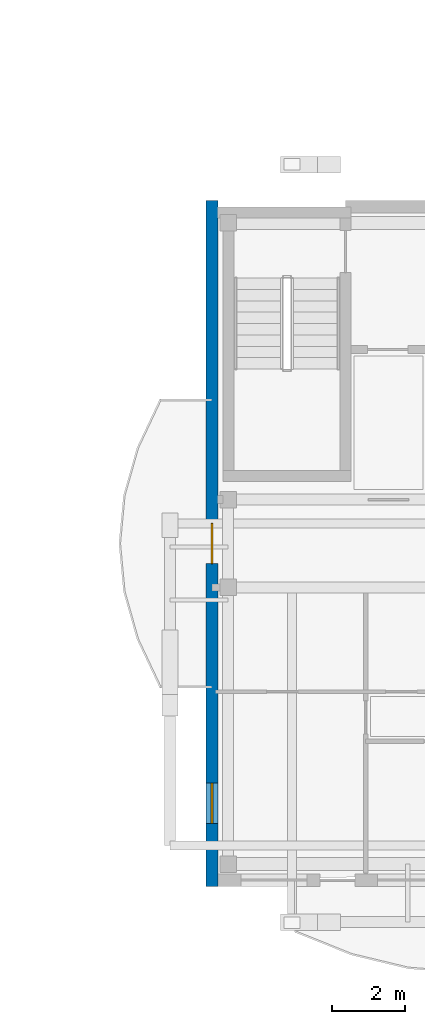
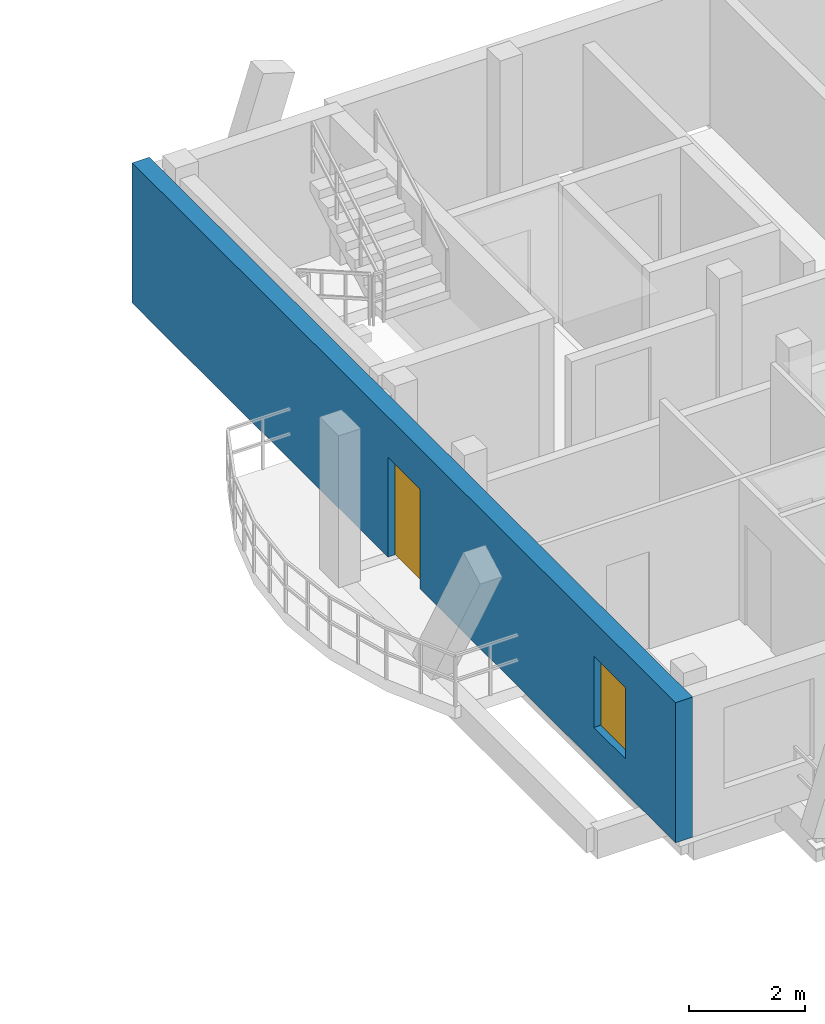
# One storey, part 19 of 44: 1 door, 1 wall, 1 window, 2 openings.
"""IFC4 building model written with IfcOpenShell, lengths in metres."""

from ifc_helpers import new_model, si_unit, direction, frame, frame_2d, origin, origin_with_axes, place, context, subcontext, project, spatial, rectangle, extrude, material, layer, layer_set, type_object, element, fill, save


model = new_model("IFC4")

# Units and contexts
model_context = context("Model", 3, precision=1e-05, world=origin(), true_north=direction((0.0, 1.0)))
body_context = subcontext(model_context, "Body", "Model", "MODEL_VIEW")
ifc_project = project(units=[si_unit("LENGTHUNIT", "METRE"), si_unit("AREAUNIT", "SQUARE_METRE"), si_unit("VOLUMEUNIT", "CUBIC_METRE"), si_unit("PLANEANGLEUNIT", "RADIAN"), si_unit("MASSUNIT", "GRAM", prefix="KILO")], contexts=[model_context])

# Site, building, storey
site_placement = place(None, origin())
site = spatial("IfcSite", under=ifc_project, at=site_placement, CompositionType="ELEMENT")
building_placement = place(site_placement, origin())
building = spatial("IfcBuilding", under=site, at=building_placement, Name="Zavelmont Quarter", CompositionType="ELEMENT")
storey_placement = place(building_placement, frame((0.0, 0.0, 20.800048828125)))
storey = spatial("IfcBuildingStorey", under=building, at=storey_placement, Name="L06", CompositionType="ELEMENT", Elevation=20.800048828125)

# Wall, openings, door, window
ifc_material_1 = material(Name="Natural Belgian limestone", Category="masonry")
ifc_layer = layer(ifc_material_1, 0.340087890625)
ifc_layer_set = layer_set([ifc_layer], Name="Natural Belgian limestone")
wall_type = type_object("IfcWallType", Name="EW03", PredefinedType="STANDARD", material=ifc_layer_set)
wall_placement = place(storey_placement, frame((126.60009765625, -0.169921875, 0.0), z_axis=(0.0, 0.0, 1.0), x_axis=(0.0, 1.0, 0.0)))
wall = element("IfcWall", 1, at=wall_placement, inside=storey, type_object=wall_type, Name="L06 exterior limestone wall EW03", PredefinedType="STANDARD", context=body_context, shape_type="SweptSolid", body=[
    extrude(rectangle(XDim=18.739990234375, YDim=0.340087890625, at=frame_2d((9.3701171875, 0.0))), origin(), (0.0, 0.0, 1.0), 2.949951171875),
])
opening_1_placement = place(wall_placement, frame((8.820068359375, 0.0, 0.0)))
opening_1 = element("IfcOpeningElement", 2, at=opening_1_placement, cuts=wall, Name="Opening DR04B", PredefinedType="OPENING", context=body_context, shape_type="SweptSolid", body=[
    extrude(rectangle(XDim=1.10009765625, YDim=2.10009765625, at=frame_2d((0.550048828125, 1.050048828125))), frame((0.0, 0.18212890625, 0.0), z_axis=(0.0, -1.0, 0.0), x_axis=(1.0, 0.0, 0.0)), (0.0, 0.0, 1.0), 0.364013671875),
])
opening_2_placement = place(wall_placement, frame((1.719970703125, 0.0, 0.719970703125)))
opening_2 = element("IfcOpeningElement", 3, at=opening_2_placement, cuts=wall, Name="Opening WN09", PredefinedType="OPENING", context=body_context, shape_type="SweptSolid", body=[
    extrude(rectangle(XDim=1.10009765625, YDim=1.5, at=frame_2d((0.550048828125, 0.75))), frame((0.0, 0.18212890625, 0.0), z_axis=(0.0, -1.0, 0.0), x_axis=(1.0, 0.0, 0.0)), (0.0, 0.0, 1.0), 0.364013671875),
])
ifc_material_2 = material(Name="Thermally broken aluminium and double safety glass", Category="aluminium")
door_type = type_object("IfcDoorType", Name="DR04B", OperationType="NOTDEFINED", PredefinedType="DOOR", material=ifc_material_2)
door_placement = place(opening_1_placement, frame((1.10009765625, 0.0, 0.0), z_axis=(0.0, 0.0, 1.0), x_axis=(-1.0, 0.0, 0.0)))
door = element("IfcDoor", 4, at=door_placement, inside=storey, type_object=door_type, Name="Block D L06 terrace or vase balcony door", OperationType="SINGLE_SWING_LEFT", OverallHeight=2.10009765625, OverallWidth=1.10009765625, PredefinedType="DOOR", context=body_context, shape_type="SweptSolid", body=[
    extrude(rectangle(XDim=1.10009765625, YDim=2.10009765625, at=frame_2d((0.550048828125, 1.050048828125))), frame((0.0, 0.02490234375, 0.0), z_axis=(0.0, -1.0, 0.0), x_axis=(1.0, 0.0, 0.0)), (0.0, 0.0, 1.0), 0.050048828125),
])
fill(opening_1, door)
ifc_material_3 = material(Name="Double low-E insulated glazing in thermally broken aluminium frame", Category="aluminium")
window_type = type_object("IfcWindowType", Name="WN09", PartitioningType="SINGLE_PANEL", PredefinedType="WINDOW", material=ifc_material_3)
window_placement = place(opening_2_placement, origin_with_axes())
window = element("IfcWindow", 5, at=window_placement, inside=storey, type_object=window_type, Name="L06 window WN09", OverallHeight=1.5, OverallWidth=1.10009765625, PartitioningType="SINGLE_PANEL", PredefinedType="WINDOW", context=body_context, shape_type="SweptSolid", body=[
    extrude(rectangle(XDim=1.10009765625, YDim=1.5, at=frame_2d((0.550048828125, 0.75))), frame((0.0, 0.030029296875, 0.0), z_axis=(0.0, -1.0, 0.0), x_axis=(1.0, 0.0, 0.0)), (0.0, 0.0, 1.0), 0.06005859375),
])
fill(opening_2, window)

save(model, "model.ifc")
